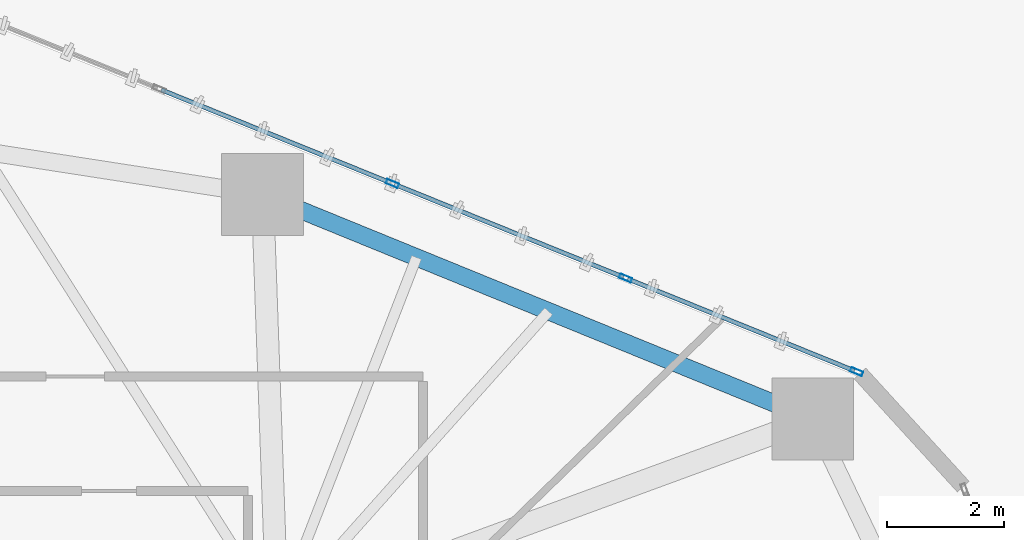
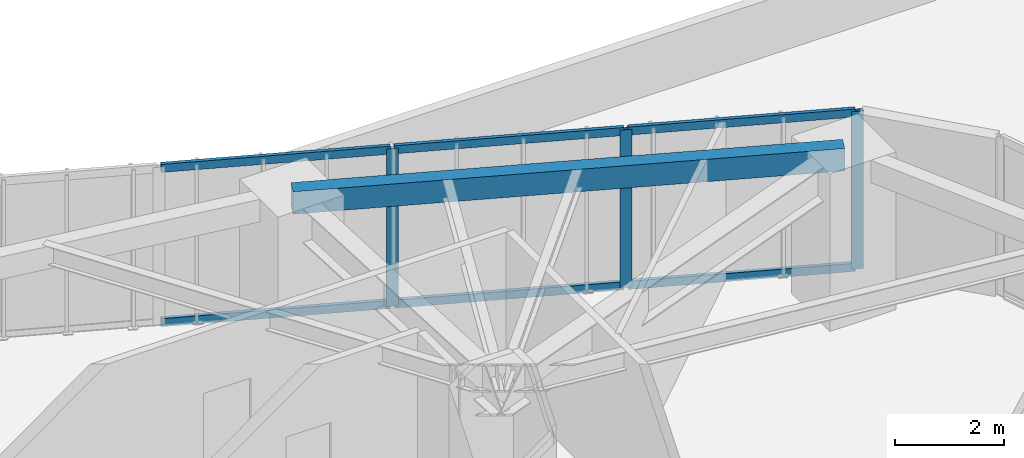
# One storey, part 16 of 23: 9 members, 1 beam, 1 element without a shape of its own.
"""IFC4 building model written with IfcOpenShell, lengths in metres."""

from ifc_helpers import new_model, si_unit, direction, frame, origin, origin_2d, place, context, subcontext, project, spatial, hollow_rectangle, extrude, source, transform, mapped, material, layer, layer_set, material_profile, profile_set, type_object, type_shapes, element, aggregate, save


model = new_model("IFC4")

# Units and contexts
model_context = context("Model", 3, precision=1e-05, world=origin(), true_north=direction((0.0, 1.0)))
body_context = subcontext(model_context, "Body", "Model", "MODEL_VIEW")
ifc_project = project(units=[si_unit("LENGTHUNIT", "METRE"), si_unit("AREAUNIT", "SQUARE_METRE"), si_unit("VOLUMEUNIT", "CUBIC_METRE"), si_unit("PLANEANGLEUNIT", "RADIAN"), si_unit("MASSUNIT", "GRAM", prefix="KILO")], contexts=[model_context])

# Site, building, storey
site_placement = place(None, origin())
site = spatial("IfcSite", under=ifc_project, at=site_placement, CompositionType="ELEMENT")
building_placement = place(site_placement, origin())
building = spatial("IfcBuilding", under=site, at=building_placement, Name="Talar Marvaseh", CompositionType="ELEMENT")
storey_placement = place(building_placement, frame((0.0, 0.0, 24.0)))
storey = spatial("IfcBuildingStorey", under=building, at=storey_placement, Name="L05", CompositionType="ELEMENT", Elevation=24.0)

# Beam
ifc_material_1 = material(Name="Steel S355", Category="steel")
ifc_material_profile_1 = material_profile(ifc_material_1, hollow_rectangle(XDim=0.300048828125, YDim=0.5, WallThickness=0.02001953125, at=origin_2d()), Name="RHS500x300x20")
ifc_profile_set_1 = profile_set([ifc_material_profile_1], Name="Steel S355")
beam_type = type_object("IfcBeamType", Name="Zone 1 Perimeter Spandrel Beam RHS500x300x20", PredefinedType="SPANDREL", material=ifc_profile_set_1)
beam_placement = place(storey_placement, frame((33.0458984375, 44.117919921875, 3.27001953125), z_axis=(0.92586732306, -0.377848779395, 0.0), x_axis=(0.377848779395, 0.92586732306, 0.0)))
element("IfcBeam", 1, at=beam_placement, inside=storey, type_object=beam_type, Name="L05 Zone 1 Perimeter Spandrel Beam RHS500x300x20", PredefinedType="SPANDREL", context=body_context, shape_type="SweptSolid", body=[
    extrude(hollow_rectangle(XDim=0.300048828125, YDim=0.5, WallThickness=0.02001953125, at=origin_2d()), origin(), (0.0, 0.0, 1.0), 10.186279296875),
])

# Curtain wall, members
ifc_material_2 = material(Name="Architectural Aluminium", Category="aluminium")
ifc_layer = layer(ifc_material_2, 0.219970703125)
ifc_layer_set = layer_set([ifc_layer], Name="Architectural Aluminium")
curtain_wall_type = type_object("IfcCurtainWallType", Name="Unitised Low-E Museum Curtain Wall Z1", PredefinedType="NOTDEFINED", material=ifc_layer_set)
curtain_wall_placement = place(storey_placement, origin())
curtain_wall = element("IfcCurtainWall", 2, at=curtain_wall_placement, inside=storey, type_object=curtain_wall_type, Name="L05 Unitised Low-E Museum Curtain Wall Z1", PredefinedType="NOTDEFINED")
ifc_material_profile_2 = material_profile(ifc_material_2, hollow_rectangle(XDim=0.080078125, YDim=0.219970703125, WallThickness=0.0048828125, at=origin_2d()), Name="RHS220x80x5")
ifc_profile_set_2 = profile_set([ifc_material_profile_2], Name="Architectural Aluminium")
member_type_1 = type_object("IfcMemberType", Name="Unitised Curtain Wall Heavy Mullion RHS220x80x5", PredefinedType="MULLION", material=ifc_profile_set_2)
shared_shape_1 = source(origin(), body_context, "Body", "SweptSolid", [
    extrude(hollow_rectangle(XDim=0.080078125, YDim=0.219970703125, WallThickness=0.0048828125, at=origin_2d()), origin(), (0.0, 0.0, 1.0), 3.52001953125),
])
type_shapes(member_type_1, [shared_shape_1])
member_1_placement = place(storey_placement, frame((35.2724609375, 44.3056640625, 0.0), z_axis=(0.0, 0.0, 1.0), x_axis=(0.375705108733, 0.926739268226, 0.0)))
member_1 = element("IfcMember", 3, at=member_1_placement, type_object=member_type_1, Name="CW-Z1 mullion 3", PredefinedType="MULLION", context=body_context, shape_type="MappedRepresentation", body=[
    mapped(shared_shape_1, transform((0.0, 0.0, 0.0), x_axis=(1.0, 0.0, 0.0), y_axis=(0.0, 1.0, 0.0), z_axis=(0.0, 0.0, 1.0), scale=1.0)),
])
member_2_placement = place(storey_placement, frame((39.2685546875, 42.685546875, 0.0), z_axis=(0.0, 0.0, 1.0), x_axis=(0.375705108733, 0.926739268226, 0.0)))
member_2 = element("IfcMember", 4, at=member_2_placement, type_object=member_type_1, Name="CW-Z1 mullion 4", PredefinedType="MULLION", context=body_context, shape_type="MappedRepresentation", body=[
    mapped(shared_shape_1, transform((0.0, 0.0, 0.0), x_axis=(1.0, 0.0, 0.0), y_axis=(0.0, 1.0, 0.0), z_axis=(0.0, 0.0, 1.0), scale=1.0)),
])
member_3_placement = place(storey_placement, frame((43.2275390625, 41.08056640625, 0.0), z_axis=(0.0, 0.0, 1.0), x_axis=(0.375705108733, 0.926739268226, 0.0)))
member_3 = element("IfcMember", 5, at=member_3_placement, type_object=member_type_1, Name="CW-Z1 mullion 5", PredefinedType="MULLION", context=body_context, shape_type="MappedRepresentation", body=[
    mapped(shared_shape_1, transform((0.0, 0.0, 0.0), x_axis=(1.0, 0.0, 0.0), y_axis=(0.0, 1.0, 0.0), z_axis=(0.0, 0.0, 1.0), scale=1.0)),
])
ifc_material_profile_3 = material_profile(ifc_material_2, hollow_rectangle(XDim=0.074951171875, YDim=0.179931640625, WallThickness=0.0048828125, at=origin_2d()), Name="RHS180x75x5")
ifc_profile_set_3 = profile_set([ifc_material_profile_3], Name="Architectural Aluminium")
member_type_2 = type_object("IfcMemberType", Name="Unitised Curtain Wall Transom RHS180x75x5", PredefinedType="USERDEFINED", material=ifc_profile_set_3)
shared_shape_2 = source(origin(), body_context, "Body", "SweptSolid", [
    extrude(hollow_rectangle(XDim=0.074951171875, YDim=0.179931640625, WallThickness=0.0048828125, at=origin_2d()), origin(), (0.0, 0.0, 1.0), 4.19189453125),
])
member_4_placement = place(storey_placement, frame((39.3056640625, 42.670654296875, 0.03759765625), z_axis=(0.926735431704, -0.375714572016, 0.0), x_axis=(0.375714572016, 0.926735431704, 0.0)))
member_4 = element("IfcMember", 6, at=member_4_placement, type_object=member_type_2, Name="CW-Z1 transom 4.1", ObjectType="TRANSOM", PredefinedType="USERDEFINED", context=body_context, shape_type="MappedRepresentation", body=[
    mapped(shared_shape_2, transform((0.0, 0.0, 0.0), x_axis=(1.0, 0.0, 0.0), y_axis=(0.0, 1.0, 0.0), z_axis=(0.0, 0.0, 1.0), scale=1.0)),
])
member_5_placement = place(storey_placement, frame((39.3056640625, 42.670654296875, 3.482421875), z_axis=(0.926735431704, -0.375714572016, 0.0), x_axis=(0.375714572016, 0.926735431704, 0.0)))
member_5 = element("IfcMember", 7, at=member_5_placement, type_object=member_type_2, Name="CW-Z1 transom 4.2", ObjectType="TRANSOM", PredefinedType="USERDEFINED", context=body_context, shape_type="MappedRepresentation", body=[
    mapped(shared_shape_2, transform((0.0, 0.0, 0.0), x_axis=(1.0, 0.0, 0.0), y_axis=(0.0, 1.0, 0.0), z_axis=(0.0, 0.0, 1.0), scale=1.0)),
])
shared_shape_3 = source(origin(), body_context, "Body", "SweptSolid", [
    extrude(hollow_rectangle(XDim=0.074951171875, YDim=0.179931640625, WallThickness=0.0048828125, at=origin_2d()), origin(), (0.0, 0.0, 1.0), 4.23193359375),
])
type_shapes(member_type_2, [shared_shape_2, shared_shape_3])
member_6_placement = place(storey_placement, frame((31.3134765625, 45.91064453125, 0.03759765625), z_axis=(0.926727867379, -0.375733229597, 0.0), x_axis=(0.375733229597, 0.926727867379, 0.0)))
member_6 = element("IfcMember", 8, at=member_6_placement, type_object=member_type_2, Name="CW-Z1 transom 2.1", ObjectType="TRANSOM", PredefinedType="USERDEFINED", context=body_context, shape_type="MappedRepresentation", body=[
    mapped(shared_shape_3, transform((0.0, 0.0, 0.0), x_axis=(1.0, 0.0, 0.0), y_axis=(0.0, 1.0, 0.0), z_axis=(0.0, 0.0, 1.0), scale=1.0)),
])
member_7_placement = place(storey_placement, frame((31.3134765625, 45.91064453125, 3.482421875), z_axis=(0.926727867379, -0.375733229597, 0.0), x_axis=(0.375733229597, 0.926727867379, 0.0)))
member_7 = element("IfcMember", 9, at=member_7_placement, type_object=member_type_2, Name="CW-Z1 transom 2.2", ObjectType="TRANSOM", PredefinedType="USERDEFINED", context=body_context, shape_type="MappedRepresentation", body=[
    mapped(shared_shape_3, transform((0.0, 0.0, 0.0), x_axis=(1.0, 0.0, 0.0), y_axis=(0.0, 1.0, 0.0), z_axis=(0.0, 0.0, 1.0), scale=1.0)),
])
member_8_placement = place(storey_placement, frame((35.3095703125, 44.29052734375, 0.03759765625), z_axis=(0.926747954197, -0.375683682627, 0.0), x_axis=(0.375683682627, 0.926747954197, 0.0)))
member_8 = element("IfcMember", 10, at=member_8_placement, type_object=member_type_2, Name="CW-Z1 transom 3.1", ObjectType="TRANSOM", PredefinedType="USERDEFINED", context=body_context, shape_type="MappedRepresentation", body=[
    mapped(shared_shape_3, transform((0.0, 0.0, 0.0), x_axis=(1.0, 0.0, 0.0), y_axis=(0.0, 1.0, 0.0), z_axis=(0.0, 0.0, 1.0), scale=1.0)),
])
member_9_placement = place(storey_placement, frame((35.3095703125, 44.29052734375, 3.482421875), z_axis=(0.926747954197, -0.375683682627, 0.0), x_axis=(0.375683682627, 0.926747954197, 0.0)))
member_9 = element("IfcMember", 11, at=member_9_placement, type_object=member_type_2, Name="CW-Z1 transom 3.2", ObjectType="TRANSOM", PredefinedType="USERDEFINED", context=body_context, shape_type="MappedRepresentation", body=[
    mapped(shared_shape_3, transform((0.0, 0.0, 0.0), x_axis=(1.0, 0.0, 0.0), y_axis=(0.0, 1.0, 0.0), z_axis=(0.0, 0.0, 1.0), scale=1.0)),
])
aggregate(curtain_wall, [member_1, member_2, member_3, member_6, member_7, member_8, member_9, member_4, member_5])

save(model, "model.ifc")
